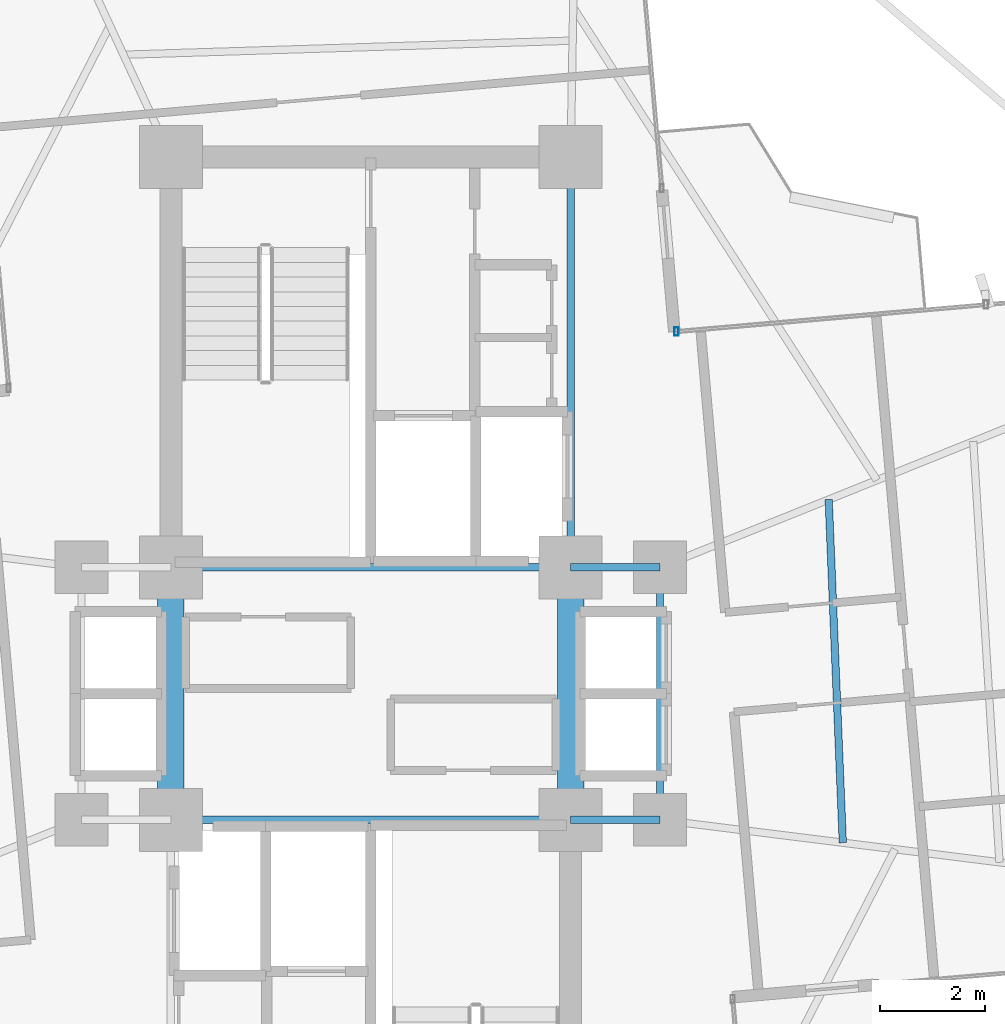
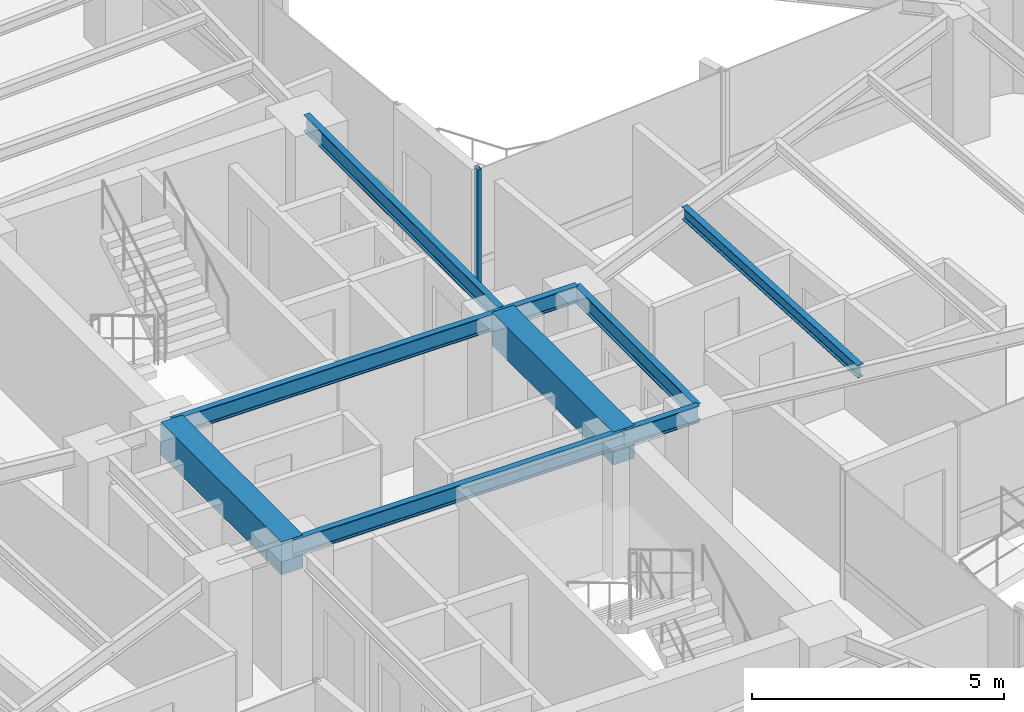
# One storey, part 11 of 24: 9 beams, 1 member, 1 element without a shape of its own.
"""IFC4 building model written with IfcOpenShell, lengths in metres."""

from ifc_helpers import new_model, si_unit, direction, frame, origin, origin_2d, place, context, subcontext, project, spatial, rectangle, hollow_rectangle, i_section, extrude, source, transform, mapped, material, material_profile, profile_set, type_object, element, aggregate, save


model = new_model("IFC4")

# Units and contexts
model_context = context("Model", 3, precision=1e-05, world=origin(), true_north=direction((0.0, 1.0)))
body_context = subcontext(model_context, "Body", "Model", "MODEL_VIEW")
ifc_project = project(units=[si_unit("LENGTHUNIT", "METRE"), si_unit("AREAUNIT", "SQUARE_METRE"), si_unit("VOLUMEUNIT", "CUBIC_METRE"), si_unit("PLANEANGLEUNIT", "RADIAN"), si_unit("MASSUNIT", "GRAM", prefix="KILO")], contexts=[model_context])

# Site, building, storey
site_placement = place(None, origin())
site = spatial("IfcSite", under=ifc_project, at=site_placement, CompositionType="ELEMENT")
building_placement = place(site_placement, origin())
building = spatial("IfcBuilding", under=site, at=building_placement, Name="Sahyath Konkavel Grand Hotel", CompositionType="ELEMENT")
storey_placement = place(building_placement, frame((0.0, 0.0, 195.300048828125)))
storey = spatial("IfcBuildingStorey", under=building, at=storey_placement, Name="L54", CompositionType="ELEMENT", Elevation=195.300048828125)

# Beams
ifc_material_1 = material(Name="Steel E350", Category="steel")
ifc_material_profile_1 = material_profile(ifc_material_1, i_section(OverallWidth=0.139892578125, OverallDepth=0.39990234375, WebThickness=0.0087890625, FlangeThickness=0.01611328125, FilletRadius=0.013916015625, at=origin_2d()), Name="ISMB 400")
ifc_profile_set_1 = profile_set([ifc_material_profile_1], Name="Steel E350")
beam_type_1 = type_object("IfcBeamType", Name="BM-ISMB400", PredefinedType="BEAM", material=ifc_profile_set_1)
shared_shape_1 = source(origin(), body_context, "Body", "SweptSolid", [
    extrude(i_section(OverallWidth=0.139892578125, OverallDepth=0.39990234375, WebThickness=0.0087890625, FlangeThickness=0.01611328125, FilletRadius=0.013916015625, at=origin_2d()), origin(), (0.0, 0.0, 1.0), 7.60009765625),
])
for number, where, z_axis, x_axis, name in (
    (1, (-3.800048828125, 2.39990234375, 2.909912109375), (1.0, 0.0, 0.0), (0.0, 1.0, 0.0), "str:bm:L54:NC-S"),
    (2, (-3.800048828125, -2.39990234375, 2.909912109375), (1.0, 0.0, 0.0), (0.0, 1.0, 0.0), "str:bm:L54:SC-N"),
):
    element("IfcBeam", number, at=place(storey_placement, frame(where, z_axis=z_axis, x_axis=x_axis)), inside=storey, type_object=beam_type_1, Name=name, PredefinedType="BEAM", context=body_context, shape_type="MappedRepresentation", body=[
        mapped(shared_shape_1, transform((0.0, 0.0, 0.0), scale=1.0)),
    ])
shared_shape_2 = source(origin(), body_context, "Body", "SweptSolid", [
    extrude(i_section(OverallWidth=0.139892578125, OverallDepth=0.39990234375, WebThickness=0.0087890625, FlangeThickness=0.01611328125, FilletRadius=0.013916015625, at=origin_2d()), origin(), (0.0, 0.0, 1.0), 7.800048828125),
])
beam_1_placement = place(storey_placement, frame((3.800048828125, 2.39990234375, 2.909912109375), z_axis=(0.0, 1.0, 0.0), x_axis=(-1.0, 0.0, 0.0)))
element("IfcBeam", 3, at=beam_1_placement, inside=storey, type_object=beam_type_1, Name="str:bm:L54:NC-E", PredefinedType="BEAM", context=body_context, shape_type="MappedRepresentation", body=[
    mapped(shared_shape_2, transform((0.0, 0.0, 0.0), scale=1.0)),
])
shared_shape_3 = source(origin(), body_context, "Body", "SweptSolid", [
    extrude(i_section(OverallWidth=0.139892578125, OverallDepth=0.39990234375, WebThickness=0.0087890625, FlangeThickness=0.01611328125, FilletRadius=0.013916015625, at=origin_2d()), origin(), (0.0, 0.0, 1.0), 1.699951171875),
])
for number, where, z_axis, x_axis, name in (
    (4, (3.800048828125, 2.39990234375, 2.909912109375), (1.0, 0.0, 0.0), (0.0, 1.0, 0.0), "str:bm:L54:HB-NE"),
    (5, (3.800048828125, -2.39990234375, 2.909912109375), (1.0, 0.0, 0.0), (0.0, 1.0, 0.0), "str:bm:L54:HB-SE"),
):
    element("IfcBeam", number, at=place(storey_placement, frame(where, z_axis=z_axis, x_axis=x_axis)), inside=storey, type_object=beam_type_1, Name=name, PredefinedType="BEAM", context=body_context, shape_type="MappedRepresentation", body=[
        mapped(shared_shape_3, transform((0.0, 0.0, 0.0), scale=1.0)),
    ])
shared_shape_4 = source(origin(), body_context, "Body", "SweptSolid", [
    extrude(i_section(OverallWidth=0.139892578125, OverallDepth=0.39990234375, WebThickness=0.0087890625, FlangeThickness=0.01611328125, FilletRadius=0.013916015625, at=origin_2d()), origin(), (0.0, 0.0, 1.0), 4.7998046875),
])
beam_2_placement = place(storey_placement, frame((5.5, -2.39990234375, 2.909912109375), z_axis=(0.0, 1.0, 0.0), x_axis=(-1.0, 0.0, 0.0)))
element("IfcBeam", 6, at=beam_2_placement, inside=storey, type_object=beam_type_1, Name="str:bm:L54:HB-E", PredefinedType="BEAM", context=body_context, shape_type="MappedRepresentation", body=[
    mapped(shared_shape_4, transform((0.0, 0.0, 0.0), scale=1.0)),
])
ifc_material_2 = material(Name="Concrete C50/60", Category="concrete")
ifc_material_profile_2 = material_profile(ifc_material_2, rectangle(XDim=0.5, YDim=0.800048828125, at=origin_2d()), Name="RC 500x800")
ifc_profile_set_2 = profile_set([ifc_material_profile_2], Name="Concrete C50/60")
beam_type_2 = type_object("IfcBeamType", Name="BM-CB500x800", PredefinedType="LINTEL", material=ifc_profile_set_2)
shared_shape_5 = source(origin(), body_context, "Body", "SweptSolid", [
    extrude(rectangle(XDim=0.5, YDim=0.800048828125, at=origin_2d()), origin(), (0.0, 0.0, 1.0), 4.7998046875),
])
for number, where, z_axis, x_axis, name in (
    (7, (-3.800048828125, -2.39990234375, 2.7099609375), (0.0, 1.0, 0.0), (-1.0, 0.0, 0.0), "L54 Split-Core Coupling Beam West"),
    (8, (3.800048828125, -2.39990234375, 2.7099609375), (0.0, 1.0, 0.0), (-1.0, 0.0, 0.0), "L54 Split-Core Coupling Beam East"),
):
    element("IfcBeam", number, at=place(storey_placement, frame(where, z_axis=z_axis, x_axis=x_axis)), inside=storey, type_object=beam_type_2, Name=name, PredefinedType="LINTEL", context=body_context, shape_type="MappedRepresentation", body=[
        mapped(shared_shape_5, transform((0.0, 0.0, 0.0), scale=1.0)),
    ])
ifc_material_profile_3 = material_profile(ifc_material_1, i_section(OverallWidth=0.139892578125, OverallDepth=0.300048828125, WebThickness=0.0078125, FlangeThickness=0.01318359375, FilletRadius=0.013916015625, at=origin_2d()), Name="ISMB 300")
ifc_profile_set_3 = profile_set([ifc_material_profile_3], Name="Steel E350")
beam_type_3 = type_object("IfcBeamType", Name="BM-ISMB300", PredefinedType="BEAM", material=ifc_profile_set_3)
shared_shape_6 = source(origin(), body_context, "Body", "SweptSolid", [
    extrude(i_section(OverallWidth=0.139892578125, OverallDepth=0.300048828125, WebThickness=0.0078125, FlangeThickness=0.01318359375, FilletRadius=0.013916015625, at=origin_2d()), origin(), (0.0, 0.0, 1.0), 6.530029296875),
])
beam_3_placement = place(storey_placement, frame((8.9755859375, -2.835205078125, 2.9599609375), z_axis=(-0.04112667768, 0.999153940283, 0.0), x_axis=(-0.999153940283, -0.04112667768, 0.0)))
element("IfcBeam", 9, at=beam_3_placement, inside=storey, type_object=beam_type_3, Name="L54 Secondary Floor Beam E-1", PredefinedType="BEAM", context=body_context, shape_type="MappedRepresentation", body=[
    mapped(shared_shape_6, transform((0.0, 0.0, 0.0), scale=1.0)),
])

# Curtain wall, member
ifc_material_3 = material(Name="Anodised Bronze Aluminium & Low-E Glazing", Category="aluminium")
curtain_wall_type = type_object("IfcCurtainWallType", Name="CW-ZONE3", PredefinedType="NOTDEFINED", material=ifc_material_3)
curtain_wall_placement = place(storey_placement, origin())
curtain_wall = element("IfcCurtainWall", 10, at=curtain_wall_placement, inside=storey, type_object=curtain_wall_type, Name="L54 Unitised Curtain Wall F7", PredefinedType="NOTDEFINED")
ifc_material_4 = material(Name="Anodised Bronze Aluminium", Category="aluminium")
ifc_material_profile_4 = material_profile(ifc_material_4, hollow_rectangle(XDim=0.080078125, YDim=0.159912109375, WallThickness=0.006103515625, at=origin_2d()), Name="RHS 160x80x6")
ifc_profile_set_4 = profile_set([ifc_material_profile_4], Name="Anodised Bronze Aluminium")
member_type = type_object("IfcMemberType", Name="CW-MUL-160", PredefinedType="MULLION", material=ifc_profile_set_4)
shared_shape_7 = source(origin(), body_context, "Body", "SweptSolid", [
    extrude(hollow_rectangle(XDim=0.080078125, YDim=0.159912109375, WallThickness=0.006103515625, at=origin_2d()), origin(), (0.0, 0.0, 1.0), 3.10986328125),
])
member_placement = place(storey_placement, frame((5.812255859375, 6.8828125, 0.0), z_axis=(0.0, 0.0, 1.0), x_axis=(1.0, 0.0, 0.0)))
member = element("IfcMember", 11, at=member_placement, type_object=member_type, Name="L54 Curtain Wall Mullion F7-2", PredefinedType="MULLION", context=body_context, shape_type="MappedRepresentation", body=[
    mapped(shared_shape_7, transform((0.0, 0.0, 0.0), scale=1.0)),
])
aggregate(curtain_wall, [member])

save(model, "model.ifc")
